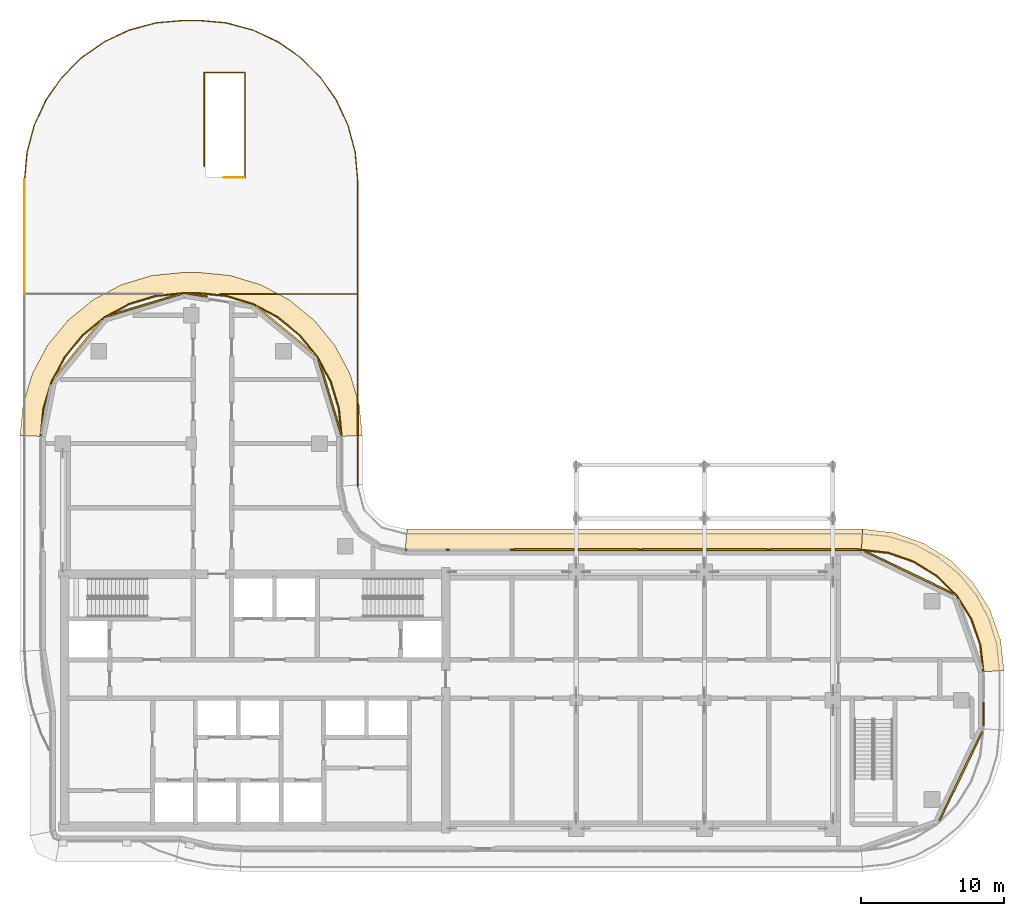
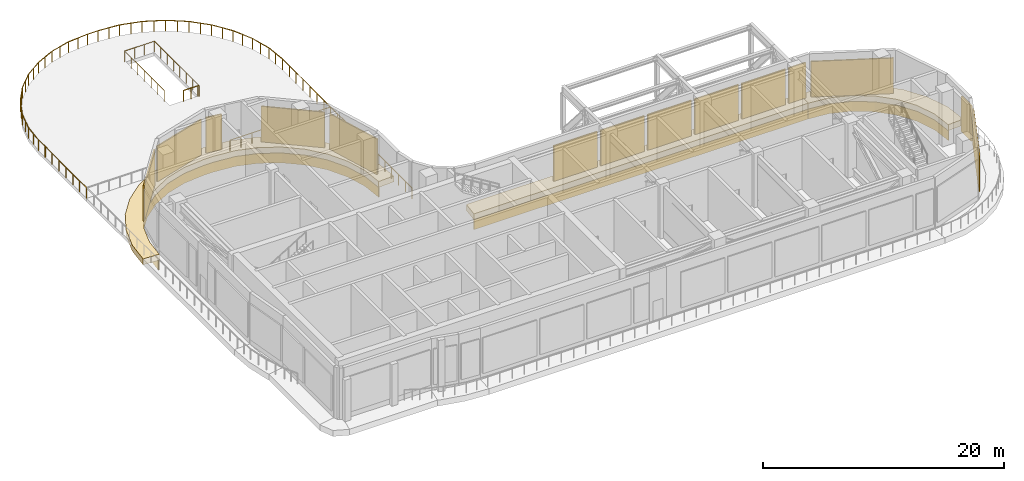
# One storey, part 17 of 18: 14 shading devices, 6 coverings, 5 railings.
"""IFC4 building model written with IfcOpenShell, lengths in metres."""

from ifc_helpers import new_model, si_unit, direction, frame, origin, origin_2d, place, context, subcontext, project, spatial, polyline, rectangle, circle, outline, extrude, material, layer, layer_set, type_object, element, save


model = new_model("IFC4")

# Units and contexts
model_context = context("Model", 3, precision=1e-05, world=origin(), true_north=direction((0.0, 1.0)))
body_context = subcontext(model_context, "Body", "Model", "MODEL_VIEW")
ifc_project = project(units=[si_unit("LENGTHUNIT", "METRE"), si_unit("AREAUNIT", "SQUARE_METRE"), si_unit("VOLUMEUNIT", "CUBIC_METRE"), si_unit("PLANEANGLEUNIT", "RADIAN"), si_unit("MASSUNIT", "GRAM", prefix="KILO")], contexts=[model_context])

# Site, building, storey
site_placement = place(None, origin())
site = spatial("IfcSite", under=ifc_project, at=site_placement, CompositionType="ELEMENT")
building_placement = place(site_placement, origin())
building = spatial("IfcBuilding", under=site, at=building_placement, Name="Ogive Portal Towers", CompositionType="ELEMENT")
storey_placement = place(building_placement, frame((0.0, 0.0, 190.300048828125)))
storey = spatial("IfcBuildingStorey", under=building, at=storey_placement, Name="L47", CompositionType="ELEMENT", Elevation=190.300048828125)

# Railings
ifc_material_1 = material(Name="Steel S355", Category="steel")
railing_type_1 = type_object("IfcRailingType", Name="BALUSTRADE GLASS 1100", PredefinedType="BALUSTRADE", material=ifc_material_1)
railing_1_placement = place(storey_placement, frame((28.820068359375, 67.0, 0.0)))
element("IfcRailing", 1, at=railing_1_placement, inside=storey, type_object=railing_type_1, Name="A:L47:garden0:rail0", PredefinedType="BALUSTRADE", context=body_context, shape_type="SweptSolid", body=[
    extrude(circle(Radius=0.02392578125, at=origin_2d()), frame((0.0, 0.0, 1.076171875), z_axis=(0.0, -1.0, 0.0), x_axis=(1.0, 0.0, 0.0)), (0.0, 0.0, 1.0), 8.0),
    extrude(circle(Radius=0.02099609375, at=origin_2d()), origin(), (0.0, 0.0, 1.0), 1.052001953125),
    extrude(circle(Radius=0.02099609375, at=origin_2d()), frame((0.0, -1.142822265625, 0.0)), (0.0, 0.0, 1.0), 1.052001953125),
    extrude(circle(Radius=0.02099609375, at=origin_2d()), frame((0.0, -2.28564453125, 0.0)), (0.0, 0.0, 1.0), 1.052001953125),
    extrude(circle(Radius=0.02099609375, at=origin_2d()), frame((0.0, -3.428466796875, 0.0)), (0.0, 0.0, 1.0), 1.052001953125),
    extrude(circle(Radius=0.02099609375, at=origin_2d()), frame((0.0, -4.571533203125, 0.0)), (0.0, 0.0, 1.0), 1.052001953125),
    extrude(circle(Radius=0.02099609375, at=origin_2d()), frame((0.0, -5.71435546875, 0.0)), (0.0, 0.0, 1.0), 1.052001953125),
    extrude(circle(Radius=0.02099609375, at=origin_2d()), frame((0.0, -6.857177734375, 0.0)), (0.0, 0.0, 1.0), 1.052001953125),
    extrude(circle(Radius=0.02099609375, at=origin_2d()), frame((0.0, -8.0, 0.0)), (0.0, 0.0, 1.0), 1.052001953125),
])
railing_2_placement = place(storey_placement, frame((52.179931640625, 59.0, 0.0)))
element("IfcRailing", 2, at=railing_2_placement, inside=storey, type_object=railing_type_1, Name="A:L47:garden0:rail1", PredefinedType="BALUSTRADE", context=body_context, shape_type="SweptSolid", body=[
    extrude(circle(Radius=0.02392578125, at=origin_2d()), frame((0.0, 0.0, 1.076171875), z_axis=(0.0, 1.0, 0.0), x_axis=(-1.0, 0.0, 0.0)), (0.0, 0.0, 1.0), 8.0),
    extrude(circle(Radius=0.02392578125, at=origin_2d()), frame((0.0, 8.0, 1.076171875), z_axis=(-0.087067489767, 0.996202415288, 0.0), x_axis=(-0.996202415288, -0.087067489767, 0.0)), (0.0, 0.0, 1.0), 1.94873046875),
    extrude(circle(Radius=0.02392578125, at=origin_2d()), frame((-0.169677734375, 9.94140625, 1.076171875), z_axis=(-0.258832104713, 0.965922326882, 0.0), x_axis=(-0.965922326882, -0.258832104713, 0.0)), (0.0, 0.0, 1.0), 1.94873046875),
    extrude(circle(Radius=0.02392578125, at=origin_2d()), frame((-0.674072265625, 11.82373046875, 1.076171875), z_axis=(-0.422645434691, 0.906295115586, 0.0), x_axis=(-0.906295115586, -0.422645434691, 0.0)), (0.0, 0.0, 1.0), 1.948974609375),
    extrude(circle(Radius=0.02392578125, at=origin_2d()), frame((-1.497802734375, 13.590087890625, 1.076171875), z_axis=(-0.573580061091, 0.819149506207, 0.0), x_axis=(-0.819149506207, -0.573580061091, 0.0)), (0.0, 0.0, 1.0), 1.948486328125),
    extrude(circle(Radius=0.02392578125, at=origin_2d()), frame((-2.615478515625, 15.186279296875, 1.076171875), z_axis=(-0.707106781187, 0.707106781187, 0.0), x_axis=(-0.707106781187, -0.707106781187, 0.0)), (0.0, 0.0, 1.0), 1.948974609375),
    extrude(circle(Radius=0.02392578125, at=origin_2d()), frame((-3.99365234375, 16.564453125, 1.076171875), z_axis=(-0.819149506207, 0.573580061091, 0.0), x_axis=(-0.573580061091, -0.819149506207, 0.0)), (0.0, 0.0, 1.0), 1.948486328125),
    extrude(circle(Radius=0.02392578125, at=origin_2d()), frame((-5.58984375, 17.68212890625, 1.076171875), z_axis=(-0.906295115586, 0.422645434691, 0.0), x_axis=(-0.422645434691, -0.906295115586, 0.0)), (0.0, 0.0, 1.0), 1.948974609375),
    extrude(circle(Radius=0.02392578125, at=origin_2d()), frame((-7.356201171875, 18.505859375, 1.076171875), z_axis=(-0.965922326882, 0.258832104713, 0.0), x_axis=(-0.258832104713, -0.965922326882, 0.0)), (0.0, 0.0, 1.0), 1.94873046875),
    extrude(circle(Radius=0.02392578125, at=origin_2d()), frame((-9.238525390625, 19.01025390625, 1.076171875), z_axis=(-0.996202415288, 0.087067489767, 0.0), x_axis=(-0.087067489767, -0.996202415288, 0.0)), (0.0, 0.0, 1.0), 1.94873046875),
    extrude(circle(Radius=0.02392578125, at=origin_2d()), frame((-11.179931640625, 19.179931640625, 1.076171875), z_axis=(-1.0, 0.0, 0.0), x_axis=(0.0, -1.0, 0.0)), (0.0, 0.0, 1.0), 1.0),
    extrude(circle(Radius=0.02392578125, at=origin_2d()), frame((-12.179931640625, 19.179931640625, 1.076171875), z_axis=(-0.996202415288, -0.087067489767, 0.0), x_axis=(0.087067489767, -0.996202415288, 0.0)), (0.0, 0.0, 1.0), 1.94873046875),
    extrude(circle(Radius=0.02392578125, at=origin_2d()), frame((-14.121337890625, 19.01025390625, 1.076171875), z_axis=(-0.965922326882, -0.258832104713, 0.0), x_axis=(0.258832104713, -0.965922326882, 0.0)), (0.0, 0.0, 1.0), 1.94873046875),
    extrude(circle(Radius=0.02392578125, at=origin_2d()), frame((-16.003662109375, 18.505859375, 1.076171875), z_axis=(-0.906295115586, -0.422645434691, 0.0), x_axis=(0.422645434691, -0.906295115586, 0.0)), (0.0, 0.0, 1.0), 1.948974609375),
    extrude(circle(Radius=0.02392578125, at=origin_2d()), frame((-17.77001953125, 17.68212890625, 1.076171875), z_axis=(-0.819149506207, -0.573580061091, 0.0), x_axis=(0.573580061091, -0.819149506207, 0.0)), (0.0, 0.0, 1.0), 1.948486328125),
    extrude(circle(Radius=0.02392578125, at=origin_2d()), frame((-19.3662109375, 16.564453125, 1.076171875), z_axis=(-0.707106781187, -0.707106781187, 0.0), x_axis=(0.707106781187, -0.707106781187, 0.0)), (0.0, 0.0, 1.0), 1.948974609375),
    extrude(circle(Radius=0.02392578125, at=origin_2d()), frame((-20.744384765625, 15.186279296875, 1.076171875), z_axis=(-0.573580061091, -0.819149506207, 0.0), x_axis=(0.819149506207, -0.573580061091, 0.0)), (0.0, 0.0, 1.0), 1.948486328125),
    extrude(circle(Radius=0.02392578125, at=origin_2d()), frame((-21.862060546875, 13.590087890625, 1.076171875), z_axis=(-0.422645434691, -0.906295115586, 0.0), x_axis=(0.906295115586, -0.422645434691, 0.0)), (0.0, 0.0, 1.0), 1.948974609375),
    extrude(circle(Radius=0.02392578125, at=origin_2d()), frame((-22.685791015625, 11.82373046875, 1.076171875), z_axis=(-0.258832104713, -0.965922326882, 0.0), x_axis=(0.965922326882, -0.258832104713, 0.0)), (0.0, 0.0, 1.0), 1.94873046875),
    extrude(circle(Radius=0.02392578125, at=origin_2d()), frame((-23.190185546875, 9.94140625, 1.076171875), z_axis=(-0.087067489767, -0.996202415288, 0.0), x_axis=(0.996202415288, -0.087067489767, 0.0)), (0.0, 0.0, 1.0), 1.94873046875),
    extrude(circle(Radius=0.02099609375, at=origin_2d()), origin(), (0.0, 0.0, 1.0), 1.052001953125),
    extrude(circle(Radius=0.02099609375, at=origin_2d()), frame((0.0, 1.142822265625, 0.0)), (0.0, 0.0, 1.0), 1.052001953125),
    extrude(circle(Radius=0.02099609375, at=origin_2d()), frame((0.0, 2.28564453125, 0.0)), (0.0, 0.0, 1.0), 1.052001953125),
    extrude(circle(Radius=0.02099609375, at=origin_2d()), frame((0.0, 3.428466796875, 0.0)), (0.0, 0.0, 1.0), 1.052001953125),
    extrude(circle(Radius=0.02099609375, at=origin_2d()), frame((0.0, 4.571533203125, 0.0)), (0.0, 0.0, 1.0), 1.052001953125),
    extrude(circle(Radius=0.02099609375, at=origin_2d()), frame((0.0, 5.71435546875, 0.0)), (0.0, 0.0, 1.0), 1.052001953125),
    extrude(circle(Radius=0.02099609375, at=origin_2d()), frame((0.0, 6.857177734375, 0.0)), (0.0, 0.0, 1.0), 1.052001953125),
    extrude(circle(Radius=0.02099609375, at=origin_2d()), frame((0.0, 8.0, 0.0)), (0.0, 0.0, 1.0), 1.052001953125),
    extrude(circle(Radius=0.02099609375, at=origin_2d()), frame((-0.0849609375, 8.970703125, 0.0)), (0.0, 0.0, 1.0), 1.052001953125),
    extrude(circle(Radius=0.02099609375, at=origin_2d()), frame((-0.169677734375, 9.94140625, 0.0)), (0.0, 0.0, 1.0), 1.052001953125),
    extrude(circle(Radius=0.02099609375, at=origin_2d()), frame((-0.421875, 10.882568359375, 0.0)), (0.0, 0.0, 1.0), 1.052001953125),
    extrude(circle(Radius=0.02099609375, at=origin_2d()), frame((-0.674072265625, 11.82373046875, 0.0)), (0.0, 0.0, 1.0), 1.052001953125),
    extrude(circle(Radius=0.02099609375, at=origin_2d()), frame((-1.0859375, 12.70703125, 0.0)), (0.0, 0.0, 1.0), 1.052001953125),
    extrude(circle(Radius=0.02099609375, at=origin_2d()), frame((-1.497802734375, 13.590087890625, 0.0)), (0.0, 0.0, 1.0), 1.052001953125),
    extrude(circle(Radius=0.02099609375, at=origin_2d()), frame((-2.056640625, 14.38818359375, 0.0)), (0.0, 0.0, 1.0), 1.052001953125),
    extrude(circle(Radius=0.02099609375, at=origin_2d()), frame((-2.615478515625, 15.186279296875, 0.0)), (0.0, 0.0, 1.0), 1.052001953125),
    extrude(circle(Radius=0.02099609375, at=origin_2d()), frame((-3.3046875, 15.87548828125, 0.0)), (0.0, 0.0, 1.0), 1.052001953125),
    extrude(circle(Radius=0.02099609375, at=origin_2d()), frame((-3.99365234375, 16.564453125, 0.0)), (0.0, 0.0, 1.0), 1.052001953125),
    extrude(circle(Radius=0.02099609375, at=origin_2d()), frame((-4.791748046875, 17.123291015625, 0.0)), (0.0, 0.0, 1.0), 1.052001953125),
    extrude(circle(Radius=0.02099609375, at=origin_2d()), frame((-5.58984375, 17.68212890625, 0.0)), (0.0, 0.0, 1.0), 1.052001953125),
    extrude(circle(Radius=0.02099609375, at=origin_2d()), frame((-6.47314453125, 18.093994140625, 0.0)), (0.0, 0.0, 1.0), 1.052001953125),
    extrude(circle(Radius=0.02099609375, at=origin_2d()), frame((-7.356201171875, 18.505859375, 0.0)), (0.0, 0.0, 1.0), 1.052001953125),
    extrude(circle(Radius=0.02099609375, at=origin_2d()), frame((-8.29736328125, 18.758056640625, 0.0)), (0.0, 0.0, 1.0), 1.052001953125),
    extrude(circle(Radius=0.02099609375, at=origin_2d()), frame((-9.238525390625, 19.01025390625, 0.0)), (0.0, 0.0, 1.0), 1.052001953125),
    extrude(circle(Radius=0.02099609375, at=origin_2d()), frame((-10.209228515625, 19.09521484375, 0.0)), (0.0, 0.0, 1.0), 1.052001953125),
    extrude(circle(Radius=0.02099609375, at=origin_2d()), frame((-11.179931640625, 19.179931640625, 0.0)), (0.0, 0.0, 1.0), 1.052001953125),
    extrude(circle(Radius=0.02099609375, at=origin_2d()), frame((-12.179931640625, 19.179931640625, 0.0)), (0.0, 0.0, 1.0), 1.052001953125),
    extrude(circle(Radius=0.02099609375, at=origin_2d()), frame((-13.150634765625, 19.09521484375, 0.0)), (0.0, 0.0, 1.0), 1.052001953125),
    extrude(circle(Radius=0.02099609375, at=origin_2d()), frame((-14.121337890625, 19.01025390625, 0.0)), (0.0, 0.0, 1.0), 1.052001953125),
    extrude(circle(Radius=0.02099609375, at=origin_2d()), frame((-15.0625, 18.758056640625, 0.0)), (0.0, 0.0, 1.0), 1.052001953125),
    extrude(circle(Radius=0.02099609375, at=origin_2d()), frame((-16.003662109375, 18.505859375, 0.0)), (0.0, 0.0, 1.0), 1.052001953125),
    extrude(circle(Radius=0.02099609375, at=origin_2d()), frame((-16.88671875, 18.093994140625, 0.0)), (0.0, 0.0, 1.0), 1.052001953125),
    extrude(circle(Radius=0.02099609375, at=origin_2d()), frame((-17.77001953125, 17.68212890625, 0.0)), (0.0, 0.0, 1.0), 1.052001953125),
    extrude(circle(Radius=0.02099609375, at=origin_2d()), frame((-18.568115234375, 17.123291015625, 0.0)), (0.0, 0.0, 1.0), 1.052001953125),
    extrude(circle(Radius=0.02099609375, at=origin_2d()), frame((-19.3662109375, 16.564453125, 0.0)), (0.0, 0.0, 1.0), 1.052001953125),
    extrude(circle(Radius=0.02099609375, at=origin_2d()), frame((-20.05517578125, 15.87548828125, 0.0)), (0.0, 0.0, 1.0), 1.052001953125),
    extrude(circle(Radius=0.02099609375, at=origin_2d()), frame((-20.744384765625, 15.186279296875, 0.0)), (0.0, 0.0, 1.0), 1.052001953125),
    extrude(circle(Radius=0.02099609375, at=origin_2d()), frame((-21.30322265625, 14.38818359375, 0.0)), (0.0, 0.0, 1.0), 1.052001953125),
    extrude(circle(Radius=0.02099609375, at=origin_2d()), frame((-21.862060546875, 13.590087890625, 0.0)), (0.0, 0.0, 1.0), 1.052001953125),
    extrude(circle(Radius=0.02099609375, at=origin_2d()), frame((-22.27392578125, 12.70703125, 0.0)), (0.0, 0.0, 1.0), 1.052001953125),
    extrude(circle(Radius=0.02099609375, at=origin_2d()), frame((-22.685791015625, 11.82373046875, 0.0)), (0.0, 0.0, 1.0), 1.052001953125),
    extrude(circle(Radius=0.02099609375, at=origin_2d()), frame((-22.93798828125, 10.882568359375, 0.0)), (0.0, 0.0, 1.0), 1.052001953125),
    extrude(circle(Radius=0.02099609375, at=origin_2d()), frame((-23.190185546875, 9.94140625, 0.0)), (0.0, 0.0, 1.0), 1.052001953125),
    extrude(circle(Radius=0.02099609375, at=origin_2d()), frame((-23.27490234375, 8.970703125, 0.0)), (0.0, 0.0, 1.0), 1.052001953125),
    extrude(circle(Radius=0.02099609375, at=origin_2d()), frame((-23.35986328125, 8.0, 0.0)), (0.0, 0.0, 1.0), 1.052001953125),
])
railing_3_placement = place(storey_placement, frame((42.530029296875, 59.0, 0.0)))
element("IfcRailing", 3, at=railing_3_placement, inside=storey, type_object=railing_type_1, Name="UNDER STUB ROOF GUARD 4", PredefinedType="BALUSTRADE", context=body_context, shape_type="SweptSolid", body=[
    extrude(circle(Radius=0.02392578125, at=origin_2d()), frame((0.0, 0.0, 1.076171875), z_axis=(1.0, 0.0, 0.0), x_axis=(0.0, 1.0, 0.0)), (0.0, 0.0, 1.0), 9.64990234375),
    extrude(circle(Radius=0.02392578125, at=origin_2d()), frame((9.64990234375, 0.0, 1.076171875), z_axis=(0.0, -1.0, 0.0), x_axis=(1.0, 0.0, 0.0)), (0.0, 0.0, 1.0), 13.5),
    extrude(circle(Radius=0.02099609375, at=origin_2d()), origin(), (0.0, 0.0, 1.0), 1.052001953125),
    extrude(circle(Radius=0.02099609375, at=origin_2d()), frame((1.072265625, 0.0, 0.0)), (0.0, 0.0, 1.0), 1.052001953125),
    extrude(circle(Radius=0.02099609375, at=origin_2d()), frame((2.14453125, 0.0, 0.0)), (0.0, 0.0, 1.0), 1.052001953125),
    extrude(circle(Radius=0.02099609375, at=origin_2d()), frame((3.216552734375, 0.0, 0.0)), (0.0, 0.0, 1.0), 1.052001953125),
    extrude(circle(Radius=0.02099609375, at=origin_2d()), frame((4.288818359375, 0.0, 0.0)), (0.0, 0.0, 1.0), 1.052001953125),
    extrude(circle(Radius=0.02099609375, at=origin_2d()), frame((5.361083984375, 0.0, 0.0)), (0.0, 0.0, 1.0), 1.052001953125),
    extrude(circle(Radius=0.02099609375, at=origin_2d()), frame((6.433349609375, 0.0, 0.0)), (0.0, 0.0, 1.0), 1.052001953125),
    extrude(circle(Radius=0.02099609375, at=origin_2d()), frame((7.50537109375, 0.0, 0.0)), (0.0, 0.0, 1.0), 1.052001953125),
    extrude(circle(Radius=0.02099609375, at=origin_2d()), frame((8.57763671875, 0.0, 0.0)), (0.0, 0.0, 1.0), 1.052001953125),
    extrude(circle(Radius=0.02099609375, at=origin_2d()), frame((9.64990234375, 0.0, 0.0)), (0.0, 0.0, 1.0), 1.052001953125),
    extrude(circle(Radius=0.02099609375, at=origin_2d()), frame((9.64990234375, -1.125, 0.0)), (0.0, 0.0, 1.0), 1.052001953125),
    extrude(circle(Radius=0.02099609375, at=origin_2d()), frame((9.64990234375, -2.25, 0.0)), (0.0, 0.0, 1.0), 1.052001953125),
    extrude(circle(Radius=0.02099609375, at=origin_2d()), frame((9.64990234375, -3.375, 0.0)), (0.0, 0.0, 1.0), 1.052001953125),
    extrude(circle(Radius=0.02099609375, at=origin_2d()), frame((9.64990234375, -4.5, 0.0)), (0.0, 0.0, 1.0), 1.052001953125),
    extrude(circle(Radius=0.02099609375, at=origin_2d()), frame((9.64990234375, -5.625, 0.0)), (0.0, 0.0, 1.0), 1.052001953125),
    extrude(circle(Radius=0.02099609375, at=origin_2d()), frame((9.64990234375, -6.75, 0.0)), (0.0, 0.0, 1.0), 1.052001953125),
    extrude(circle(Radius=0.02099609375, at=origin_2d()), frame((9.64990234375, -7.875, 0.0)), (0.0, 0.0, 1.0), 1.052001953125),
    extrude(circle(Radius=0.02099609375, at=origin_2d()), frame((9.64990234375, -9.0, 0.0)), (0.0, 0.0, 1.0), 1.052001953125),
    extrude(circle(Radius=0.02099609375, at=origin_2d()), frame((9.64990234375, -10.125, 0.0)), (0.0, 0.0, 1.0), 1.052001953125),
    extrude(circle(Radius=0.02099609375, at=origin_2d()), frame((9.64990234375, -11.25, 0.0)), (0.0, 0.0, 1.0), 1.052001953125),
    extrude(circle(Radius=0.02099609375, at=origin_2d()), frame((9.64990234375, -12.375, 0.0)), (0.0, 0.0, 1.0), 1.052001953125),
    extrude(circle(Radius=0.02099609375, at=origin_2d()), frame((9.64990234375, -13.5, 0.0)), (0.0, 0.0, 1.0), 1.052001953125),
])
railing_4_placement = place(storey_placement, frame((41.422119140625, 67.949951171875, 0.0)))
element("IfcRailing", 4, at=railing_4_placement, inside=storey, type_object=railing_type_1, Name="Stair opening guard 1.1", PredefinedType="BALUSTRADE", context=body_context, shape_type="SweptSolid", body=[
    extrude(circle(Radius=0.02392578125, at=origin_2d()), frame((0.0, 0.0, 1.076171875), z_axis=(0.0, 1.0, 0.0), x_axis=(-1.0, 0.0, 0.0)), (0.0, 0.0, 1.0), 6.578125),
    extrude(circle(Radius=0.02392578125, at=origin_2d()), frame((0.0, 6.578125, 1.076171875), z_axis=(1.0, 0.0, 0.0), x_axis=(0.0, 1.0, 0.0)), (0.0, 0.0, 1.0), 2.85595703125),
    extrude(circle(Radius=0.02392578125, at=origin_2d()), frame((2.85595703125, 6.578125, 1.076171875), z_axis=(0.0, -1.0, 0.0), x_axis=(1.0, 0.0, 0.0)), (0.0, 0.0, 1.0), 7.406005859375),
    extrude(circle(Radius=0.02392578125, at=origin_2d()), frame((2.85595703125, -0.827880859375, 1.076171875), z_axis=(-1.0, 0.0, 0.0), x_axis=(0.0, -1.0, 0.0)), (0.0, 0.0, 1.0), 0.080078125),
    extrude(circle(Radius=0.02099609375, at=origin_2d()), origin(), (0.0, 0.0, 1.0), 1.052001953125),
    extrude(circle(Radius=0.02099609375, at=origin_2d()), frame((0.0, 1.096435546875, 0.0)), (0.0, 0.0, 1.0), 1.052001953125),
    extrude(circle(Radius=0.02099609375, at=origin_2d()), frame((0.0, 2.192626953125, 0.0)), (0.0, 0.0, 1.0), 1.052001953125),
    extrude(circle(Radius=0.02099609375, at=origin_2d()), frame((0.0, 3.2890625, 0.0)), (0.0, 0.0, 1.0), 1.052001953125),
    extrude(circle(Radius=0.02099609375, at=origin_2d()), frame((0.0, 4.385498046875, 0.0)), (0.0, 0.0, 1.0), 1.052001953125),
    extrude(circle(Radius=0.02099609375, at=origin_2d()), frame((0.0, 5.481689453125, 0.0)), (0.0, 0.0, 1.0), 1.052001953125),
    extrude(circle(Radius=0.02099609375, at=origin_2d()), frame((0.0, 6.578125, 0.0)), (0.0, 0.0, 1.0), 1.052001953125),
    extrude(circle(Radius=0.02099609375, at=origin_2d()), frame((0.951904296875, 6.578125, 0.0)), (0.0, 0.0, 1.0), 1.052001953125),
    extrude(circle(Radius=0.02099609375, at=origin_2d()), frame((1.904052734375, 6.578125, 0.0)), (0.0, 0.0, 1.0), 1.052001953125),
    extrude(circle(Radius=0.02099609375, at=origin_2d()), frame((2.85595703125, 6.578125, 0.0)), (0.0, 0.0, 1.0), 1.052001953125),
    extrude(circle(Radius=0.02099609375, at=origin_2d()), frame((2.85595703125, 5.52001953125, 0.0)), (0.0, 0.0, 1.0), 1.052001953125),
    extrude(circle(Radius=0.02099609375, at=origin_2d()), frame((2.85595703125, 4.462158203125, 0.0)), (0.0, 0.0, 1.0), 1.052001953125),
    extrude(circle(Radius=0.02099609375, at=origin_2d()), frame((2.85595703125, 3.404052734375, 0.0)), (0.0, 0.0, 1.0), 1.052001953125),
    extrude(circle(Radius=0.02099609375, at=origin_2d()), frame((2.85595703125, 2.34619140625, 0.0)), (0.0, 0.0, 1.0), 1.052001953125),
    extrude(circle(Radius=0.02099609375, at=origin_2d()), frame((2.85595703125, 1.2880859375, 0.0)), (0.0, 0.0, 1.0), 1.052001953125),
    extrude(circle(Radius=0.02099609375, at=origin_2d()), frame((2.85595703125, 0.230224609375, 0.0)), (0.0, 0.0, 1.0), 1.052001953125),
    extrude(circle(Radius=0.02099609375, at=origin_2d()), frame((2.85595703125, -0.827880859375, 0.0)), (0.0, 0.0, 1.0), 1.052001953125),
    extrude(circle(Radius=0.02099609375, at=origin_2d()), frame((2.77587890625, -0.827880859375, 0.0)), (0.0, 0.0, 1.0), 1.052001953125),
])
ifc_material_2 = material(Name="Stainless steel balustrade", Category="steel")
railing_type_2 = type_object("IfcRailingType", Name="INT-GUARD", PredefinedType="GUARDRAIL", material=ifc_material_2)
railing_5_placement = place(storey_placement, frame((44.199951171875, 67.14990234375, 0.0)))
element("IfcRailing", 5, at=railing_5_placement, inside=storey, type_object=railing_type_2, Name="L47 ST-A3 top well guard 1", PredefinedType="GUARDRAIL", context=body_context, shape_type="SweptSolid", body=[
    extrude(circle(Radius=0.02392578125, at=origin_2d()), frame((0.0, 0.0, 1.076171875), z_axis=(-1.0, 0.0, 0.0), x_axis=(0.0, -1.0, 0.0)), (0.0, 0.0, 1.0), 1.39990234375),
    extrude(circle(Radius=0.02099609375, at=origin_2d()), origin(), (0.0, 0.0, 1.0), 1.052001953125),
    extrude(circle(Radius=0.02099609375, at=origin_2d()), frame((-0.699951171875, 0.0, 0.0)), (0.0, 0.0, 1.0), 1.052001953125),
    extrude(circle(Radius=0.02099609375, at=origin_2d()), frame((-1.39990234375, 0.0, 0.0)), (0.0, 0.0, 1.0), 1.052001953125),
])

# Shading devices
ifc_material_3 = material(Name="Aluminium 6063 anodised", Category="aluminium")
ifc_layer_1 = layer(ifc_material_3, 0.1201171875)
ifc_layer_set_1 = layer_set([ifc_layer_1], Name="LOUVRE BANK ALUMINIUM")
shading_device_type = type_object("IfcShadingDeviceType", Name="LOUVRE BANK ALUMINIUM", PredefinedType="USERDEFINED", material=ifc_layer_set_1)
shading_device_1_placement = place(storey_placement, frame((94.466064453125, 25.17626953125, 0.599853515625), z_axis=(0.0, 0.0, 1.0), x_axis=(0.433883739113, 0.900968867905, 0.0)))
element("IfcShadingDevice", 6, at=shading_device_1_placement, inside=storey, type_object=shading_device_type, Name="Louvre bank 1", ObjectType="LOUVRE", PredefinedType="USERDEFINED", context=body_context, shape_type="SweptSolid", body=[
    extrude(rectangle(XDim=6.88330078125, YDim=0.1201171875, at=origin_2d()), origin(), (0.0, 0.0, 1.0), 3.60009765625),
])
shading_device_2_placement = place(storey_placement, frame((96.06005859375, 29.5341796875, 0.599853515625), z_axis=(0.0, 0.0, 1.0), x_axis=(0.0, 1.0, 0.0)))
element("IfcShadingDevice", 7, at=shading_device_2_placement, inside=storey, type_object=shading_device_type, Name="Louvre bank 1", ObjectType="LOUVRE", PredefinedType="USERDEFINED", context=body_context, shape_type="SweptSolid", body=[
    extrude(rectangle(XDim=1.631591796875, YDim=0.1201171875, at=origin_2d()), origin(), (0.0, 0.0, 1.0), 3.60009765625),
])
shading_device_3_placement = place(storey_placement, frame((90.82373046875, 39.466064453125, 0.599853515625), z_axis=(0.0, 0.0, 1.0), x_axis=(-0.900968867905, 0.433883739113, 0.0)))
element("IfcShadingDevice", 8, at=shading_device_3_placement, inside=storey, type_object=shading_device_type, Name="Louvre bank 1", ObjectType="LOUVRE", PredefinedType="USERDEFINED", context=body_context, shape_type="SweptSolid", body=[
    extrude(rectangle(XDim=6.88330078125, YDim=0.1201171875, at=origin_2d()), origin(), (0.0, 0.0, 1.0), 3.60009765625),
])
shading_device_4_placement = place(storey_placement, frame((86.4658203125, 41.06005859375, 0.599853515625), z_axis=(0.0, 0.0, 1.0), x_axis=(-1.0, 0.0, 0.0)))
element("IfcShadingDevice", 9, at=shading_device_4_placement, inside=storey, type_object=shading_device_type, Name="Louvre bank 1", ObjectType="LOUVRE", PredefinedType="USERDEFINED", context=body_context, shape_type="SweptSolid", body=[
    extrude(rectangle(XDim=1.631591796875, YDim=0.1201171875, at=origin_2d()), origin(), (0.0, 0.0, 1.0), 3.60009765625),
])
for number, where, z_axis, x_axis, name in (
    (10, (83.25, 41.06005859375, 0.599853515625), (0.0, 0.0, 1.0), (-1.0, 0.0, 0.0), "Louvre bank 2"),
    (11, (78.75, 41.06005859375, 0.599853515625), (0.0, 0.0, 1.0), (-1.0, 0.0, 0.0), "Louvre bank 3"),
    (12, (74.25, 41.06005859375, 0.599853515625), (0.0, 0.0, 1.0), (-1.0, 0.0, 0.0), "Louvre bank 4"),
    (13, (69.75, 41.06005859375, 0.599853515625), (0.0, 0.0, 1.0), (-1.0, 0.0, 0.0), "Louvre bank 5"),
    (14, (65.25, 41.06005859375, 0.599853515625), (0.0, 0.0, 1.0), (-1.0, 0.0, 0.0), "Louvre bank 6"),
):
    element("IfcShadingDevice", number, at=place(storey_placement, frame(where, z_axis=z_axis, x_axis=x_axis)), inside=storey, type_object=shading_device_type, Name=name, ObjectType="LOUVRE", PredefinedType="USERDEFINED", context=body_context, shape_type="SweptSolid", body=[
        extrude(rectangle(XDim=4.199951171875, YDim=0.1201171875, at=origin_2d()), origin(), (0.0, 0.0, 1.0), 3.60009765625),
    ])
shading_device_5_placement = place(storey_placement, frame((50.221435546875, 51.77294921875, 0.599853515625), z_axis=(0.0, 0.0, 1.0), x_axis=(-0.290284677254, 0.956940335732, 0.0)))
element("IfcShadingDevice", 15, at=shading_device_5_placement, inside=storey, type_object=shading_device_type, Name="Louvre bank 1", ObjectType="LOUVRE", PredefinedType="USERDEFINED", context=body_context, shape_type="SweptSolid", body=[
    extrude(rectangle(XDim=5.3701171875, YDim=0.1201171875, at=origin_2d()), origin(), (0.0, 0.0, 1.0), 3.60009765625),
])
shading_device_6_placement = place(storey_placement, frame((47.105224609375, 56.446533203125, 0.599853515625), z_axis=(0.0, 0.0, 1.0), x_axis=(-0.773010453363, 0.634393284164, 0.0)))
element("IfcShadingDevice", 16, at=shading_device_6_placement, inside=storey, type_object=shading_device_type, Name="Louvre bank 1", ObjectType="LOUVRE", PredefinedType="USERDEFINED", context=body_context, shape_type="SweptSolid", body=[
    extrude(rectangle(XDim=5.333251953125, YDim=0.1201171875, at=origin_2d()), origin(), (0.0, 0.0, 1.0), 3.60009765625),
])
shading_device_7_placement = place(storey_placement, frame((40.923828125, 58.9150390625, 0.599853515625), z_axis=(0.0, 0.0, 1.0), x_axis=(-0.987792174992, 0.155777466355, 0.0)))
element("IfcShadingDevice", 17, at=shading_device_7_placement, inside=storey, type_object=shading_device_type, Name="Louvre bank 1", ObjectType="LOUVRE", PredefinedType="USERDEFINED", context=body_context, shape_type="SweptSolid", body=[
    extrude(rectangle(XDim=1.413818359375, YDim=0.1201171875, at=origin_2d()), origin(), (0.0, 0.0, 1.0), 3.60009765625),
])
shading_device_8_placement = place(storey_placement, frame((37.21533203125, 58.218017578125, 0.599853515625), z_axis=(0.0, 0.0, 1.0), x_axis=(-0.956940335732, -0.290284677254, 0.0)))
element("IfcShadingDevice", 18, at=shading_device_8_placement, inside=storey, type_object=shading_device_type, Name="Louvre bank 1", ObjectType="LOUVRE", PredefinedType="USERDEFINED", context=body_context, shape_type="SweptSolid", body=[
    extrude(rectangle(XDim=5.345947265625, YDim=0.1201171875, at=origin_2d()), origin(), (0.0, 0.0, 1.0), 3.60009765625),
])
shading_device_9_placement = place(storey_placement, frame((32.55126953125, 55.102783203125, 0.599853515625), z_axis=(0.0, 0.0, 1.0), x_axis=(-0.634393284164, -0.773010453363, 0.0)))
element("IfcShadingDevice", 19, at=shading_device_9_placement, inside=storey, type_object=shading_device_type, Name="Louvre bank 1", ObjectType="LOUVRE", PredefinedType="USERDEFINED", context=body_context, shape_type="SweptSolid", body=[
    extrude(rectangle(XDim=5.339599609375, YDim=0.1201171875, at=origin_2d()), origin(), (0.0, 0.0, 1.0), 3.60009765625),
])

# Coverings
ifc_material_4 = material(Name="Limestone cladding on lightweight block wall", Category="masonry")
ifc_layer_2 = layer(ifc_material_4, 0.080078125)
ifc_layer_set_2 = layer_set([ifc_layer_2], Name="STONE SPANDREL 80")
covering_type_1 = type_object("IfcCoveringType", Name="STONE SPANDREL 80", PredefinedType="CLADDING", material=ifc_layer_set_2)
covering_1_placement = place(storey_placement, frame((0.0, 0.0, -1.60009765625)))
element("IfcCovering", 20, at=covering_1_placement, inside=storey, type_object=covering_type_1, Name="Stone spandrel A1-F08", PredefinedType="CLADDING", context=body_context, shape_type="SweptSolid", body=[
    extrude(outline(polyline([(96.0, 32.5), (95.786865234375, 34.391357421875), (95.158203125, 36.18798828125), (94.1455078125, 37.799560546875), (92.799560546875, 39.1455078125), (91.18798828125, 40.158203125), (89.391357421875, 40.786865234375), (87.5, 41.0), (87.50439453125, 41.080078125), (89.409423828125, 40.865478515625), (91.222900390625, 40.230712890625), (92.849853515625, 39.20849609375), (94.20849609375, 37.849853515625), (95.230712890625, 36.222900390625), (95.865478515625, 34.409423828125), (96.080078125, 32.50439453125), (96.0, 32.5)])), origin(), (0.0, 0.0, 1.0), 1.0),
])
covering_2_placement = place(storey_placement, frame((0.0, 0.0, -1.60009765625)))
element("IfcCovering", 21, at=covering_2_placement, inside=storey, type_object=covering_type_1, Name="Stone spandrel A1-F09", PredefinedType="CLADDING", context=body_context, shape_type="SweptSolid", body=[
    extrude(outline(polyline([(87.5, 41.0), (55.5, 41.0), (55.5078125, 41.080078125), (87.50439453125, 41.080078125), (87.5, 41.0)])), origin(), (0.0, 0.0, 1.0), 1.0),
])
covering_3_placement = place(storey_placement, frame((0.0, 0.0, -1.60009765625)))
element("IfcCovering", 22, at=covering_3_placement, inside=storey, type_object=covering_type_1, Name="Stone spandrel A1-F12", PredefinedType="CLADDING", context=body_context, shape_type="SweptSolid", body=[
    extrude(outline(polyline([(51.0, 49.0), (50.807861328125, 50.950927734375), (50.23876953125, 52.826904296875), (49.314697265625, 54.5556640625), (48.071044921875, 56.071044921875), (46.5556640625, 57.314697265625), (44.826904296875, 58.23876953125), (42.950927734375, 58.807861328125), (41.0, 59.0), (40.0, 59.0), (38.049072265625, 58.807861328125), (36.173095703125, 58.23876953125), (34.4443359375, 57.314697265625), (32.928955078125, 56.071044921875), (31.685302734375, 54.5556640625), (30.76123046875, 52.826904296875), (30.192138671875, 50.950927734375), (30.0, 49.0), (29.919921875, 49.00390625), (30.11328125, 50.966552734375), (30.68701171875, 52.857666015625), (31.618408203125, 54.600341796875), (32.8720703125, 56.1279296875), (34.399658203125, 57.381591796875), (36.142333984375, 58.31298828125), (38.033447265625, 58.88671875), (39.99609375, 59.080078125), (41.00390625, 59.080078125), (42.966552734375, 58.88671875), (44.857666015625, 58.31298828125), (46.600341796875, 57.381591796875), (48.1279296875, 56.1279296875), (49.381591796875, 54.600341796875), (50.31298828125, 52.857666015625), (50.88671875, 50.966552734375), (51.080078125, 49.00390625), (51.0, 49.0)])), origin(), (0.0, 0.0, 1.0), 1.0),
])
ifc_layer_3 = layer(ifc_material_4, 0.60009765625)
ifc_layer_set_3 = layer_set([ifc_layer_3], Name="SUNSHADE LIP 600")
covering_type_2 = type_object("IfcCoveringType", Name="SUNSHADE LIP 600", PredefinedType="CLADDING", material=ifc_layer_set_3)
covering_4_placement = place(storey_placement, frame((0.0, 0.0, -0.60009765625)))
element("IfcCovering", 23, at=covering_4_placement, inside=storey, type_object=covering_type_2, Name="Sunshade lip A1-F08", PredefinedType="CLADDING", context=body_context, shape_type="SweptSolid", body=[
    extrude(outline(polyline([(96.0, 32.5), (95.786865234375, 34.391357421875), (95.158203125, 36.18798828125), (94.1455078125, 37.799560546875), (92.799560546875, 39.1455078125), (91.18798828125, 40.158203125), (89.391357421875, 40.786865234375), (87.5, 41.0), (87.584228515625, 42.5), (89.727294921875, 42.258544921875), (91.843017578125, 41.518310546875), (93.74072265625, 40.32568359375), (95.32568359375, 38.74072265625), (96.518310546875, 36.843017578125), (97.258544921875, 34.727294921875), (97.5, 32.584228515625), (96.0, 32.5)])), origin(), (0.0, 0.0, 1.0), 0.60009765625),
])
covering_5_placement = place(storey_placement, frame((0.0, 0.0, -0.60009765625)))
element("IfcCovering", 24, at=covering_5_placement, inside=storey, type_object=covering_type_2, Name="Sunshade lip A1-F09", PredefinedType="CLADDING", context=body_context, shape_type="SweptSolid", body=[
    extrude(outline(polyline([(87.5, 41.0), (55.5, 41.0), (55.647705078125, 42.5), (87.584228515625, 42.5), (87.5, 41.0)])), origin(), (0.0, 0.0, 1.0), 0.60009765625),
])
covering_6_placement = place(storey_placement, frame((0.0, 0.0, -0.60009765625)))
element("IfcCovering", 25, at=covering_6_placement, inside=storey, type_object=covering_type_2, Name="Sunshade lip A1-F12", PredefinedType="CLADDING", context=body_context, shape_type="SweptSolid", body=[
    extrude(outline(polyline([(51.0, 49.0), (50.807861328125, 50.950927734375), (50.23876953125, 52.826904296875), (49.314697265625, 54.5556640625), (48.071044921875, 56.071044921875), (46.5556640625, 57.314697265625), (44.826904296875, 58.23876953125), (42.950927734375, 58.807861328125), (41.0, 59.0), (40.0, 59.0), (38.049072265625, 58.807861328125), (36.173095703125, 58.23876953125), (34.4443359375, 57.314697265625), (32.928955078125, 56.071044921875), (31.685302734375, 54.5556640625), (30.76123046875, 52.826904296875), (30.192138671875, 50.950927734375), (30.0, 49.0), (28.5, 49.07373046875), (28.7138671875, 51.244873046875), (29.36865234375, 53.403564453125), (30.43212890625, 55.39306640625), (31.863037109375, 57.136962890625), (33.60693359375, 58.56787109375), (35.596435546875, 59.63134765625), (37.755126953125, 60.2861328125), (39.92626953125, 60.5), (41.07373046875, 60.5), (43.244873046875, 60.2861328125), (45.403564453125, 59.63134765625), (47.39306640625, 58.56787109375), (49.136962890625, 57.136962890625), (50.56787109375, 55.39306640625), (51.63134765625, 53.403564453125), (52.2861328125, 51.244873046875), (52.5, 49.07373046875), (51.0, 49.0)])), origin(), (0.0, 0.0, 1.0), 0.60009765625),
])

save(model, "model.ifc")
